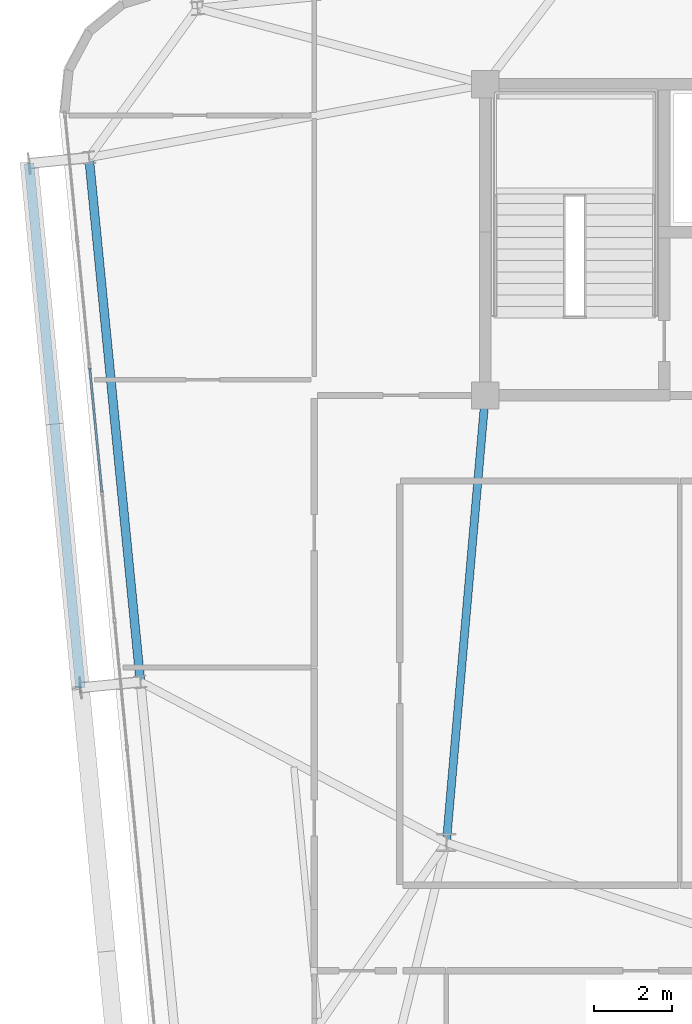
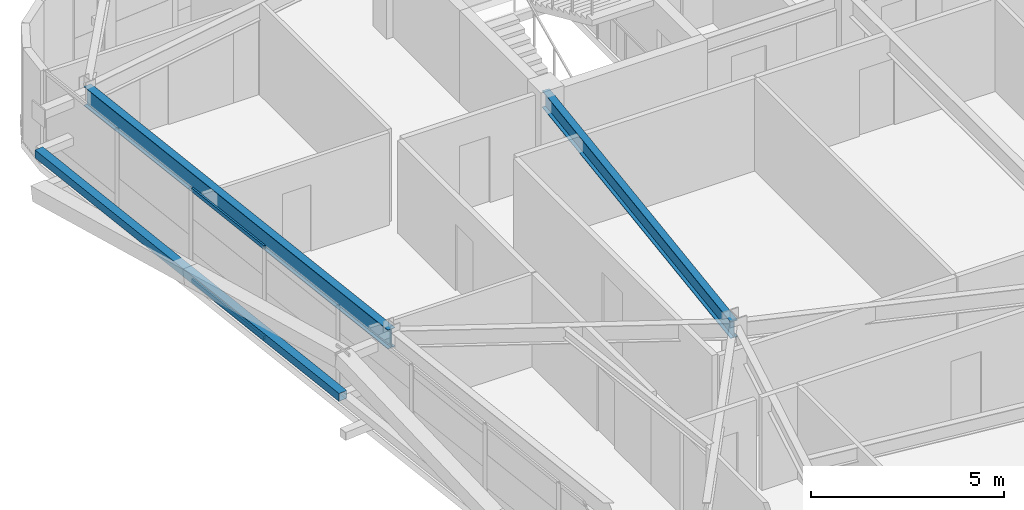
# One storey, part 14 of 52: 3 members, 2 beams, 1 element without a shape of its own.
"""IFC4 building model written with IfcOpenShell, lengths in metres."""

from ifc_helpers import new_model, si_unit, direction, frame, origin, origin_2d, place, context, subcontext, project, spatial, hollow_rectangle, i_section, extrude, source, transform, mapped, material, layer, layer_set, material_profile, profile_set, type_object, element, aggregate, save


model = new_model("IFC4")

# Units and contexts
model_context = context("Model", 3, precision=1e-05, world=origin(), true_north=direction((0.0, 1.0)))
body_context = subcontext(model_context, "Body", "Model", "MODEL_VIEW")
ifc_project = project(units=[si_unit("LENGTHUNIT", "METRE"), si_unit("AREAUNIT", "SQUARE_METRE"), si_unit("VOLUMEUNIT", "CUBIC_METRE"), si_unit("PLANEANGLEUNIT", "RADIAN"), si_unit("MASSUNIT", "GRAM", prefix="KILO")], contexts=[model_context])

# Site, building, storey
site_placement = place(None, origin())
site = spatial("IfcSite", under=ifc_project, at=site_placement, CompositionType="ELEMENT")
building_placement = place(site_placement, origin())
building = spatial("IfcBuilding", under=site, at=building_placement, Name="Taldren Reach Tower", CompositionType="ELEMENT")
storey_placement = place(building_placement, frame((0.0, 0.0, 93.449951171875)))
storey = spatial("IfcBuildingStorey", under=building, at=storey_placement, Name="L28", CompositionType="ELEMENT", Elevation=93.449951171875)

# Beams
ifc_material_1 = material(Name="Steel Gr 350 (350PLUS)", Category="steel")
ifc_material_profile_1 = material_profile(ifc_material_1, i_section(OverallWidth=0.208984375, OverallDepth=0.532958984375, WebThickness=0.01025390625, FlangeThickness=0.015625, at=origin_2d()), Name="530UB92.4")
ifc_profile_set_1 = profile_set([ifc_material_profile_1], Name="Steel Gr 350 (350PLUS)")
beam_type_1 = type_object("IfcBeamType", Name="BM-UB530A", PredefinedType="BEAM", material=ifc_profile_set_1)
shared_shape_1 = source(origin(), body_context, "Body", "SweptSolid", [
    extrude(i_section(OverallWidth=0.208984375, OverallDepth=0.532958984375, WebThickness=0.01025390625, FlangeThickness=0.015625, at=origin_2d()), origin(), (0.0, 0.0, 1.0), 11.54345703125),
])
beam_1_placement = place(storey_placement, frame((19.0, 24.0, 2.66357421875), z_axis=(-0.086629616365, -0.996240588196, 0.0), x_axis=(0.996240588196, -0.086629616365, 0.0)))
element("IfcBeam", 1, at=beam_1_placement, inside=storey, type_object=beam_type_1, Name="Core-spine girder L28-SP09", PredefinedType="BEAM", context=body_context, shape_type="MappedRepresentation", body=[
    mapped(shared_shape_1, transform((0.0, 0.0, 0.0), scale=1.0)),
])
ifc_material_profile_2 = material_profile(ifc_material_1, i_section(OverallWidth=0.22802734375, OverallDepth=0.60205078125, WebThickness=0.010498046875, FlangeThickness=0.014892578125, at=origin_2d()), Name="610UB101")
ifc_profile_set_2 = profile_set([ifc_material_profile_2], Name="Steel Gr 350 (350PLUS)")
beam_type_2 = type_object("IfcBeamType", Name="BM-UB610B", PredefinedType="BEAM", material=ifc_profile_set_2)
shared_shape_2 = source(origin(), body_context, "Body", "SweptSolid", [
    extrude(i_section(OverallWidth=0.22802734375, OverallDepth=0.60205078125, WebThickness=0.010498046875, FlangeThickness=0.014892578125, at=origin_2d()), origin(), (0.0, 0.0, 1.0), 13.550048828125),
])
beam_2_placement = place(storey_placement, frame((8.808349609375, 30.116455078125, 2.629150390625), z_axis=(0.097584021339, -0.995227290009, 0.0), x_axis=(0.995227290009, 0.097584021339, 0.0)))
element("IfcBeam", 2, at=beam_2_placement, inside=storey, type_object=beam_type_2, Name="Perimeter gable girder B2 W3-W2 L28", PredefinedType="BEAM", context=body_context, shape_type="MappedRepresentation", body=[
    mapped(shared_shape_2, transform((0.0, 0.0, 0.0), scale=1.0)),
])

# Member
ifc_material_2 = material(Name="Steel Gr 350 (C350L0)", Category="steel")
ifc_material_profile_3 = material_profile(ifc_material_2, hollow_rectangle(XDim=0.25, YDim=0.25, WallThickness=0.010009765625, at=origin_2d()), Name="250x250x10.0SHS")
ifc_profile_set_3 = profile_set([ifc_material_profile_3], Name="Steel Gr 350 (C350L0)")
member_type_1 = type_object("IfcMemberType", Name="MB-POST250", PredefinedType="POST", material=ifc_profile_set_3)
shared_shape_3 = source(origin(), body_context, "Body", "SweptSolid", [
    extrude(hollow_rectangle(XDim=0.25, YDim=0.25, WallThickness=0.010009765625, at=origin_2d()), origin(), (0.0, 0.0, 1.0), 13.550048828125),
])
member_1_placement = place(storey_placement, frame((8.587890625, 16.479736328125, 1.43505859375), z_axis=(-0.097584021339, 0.995227290009, 0.0), x_axis=(-0.995227290009, -0.097584021339, 0.0)))
element("IfcMember", 3, at=member_1_placement, inside=storey, type_object=member_type_1, Name="Exoskeleton mid-height ring chord B2-W2 L28", PredefinedType="POST", context=body_context, shape_type="MappedRepresentation", body=[
    mapped(shared_shape_3, transform((0.0, 0.0, 0.0), scale=1.0)),
])

# Curtain wall, members
ifc_material_3 = material(Name="Aluminium and Low-E Glass Unitised System", Category="aluminium")
ifc_layer = layer(ifc_material_3, 0.159912109375)
ifc_layer_set = layer_set([ifc_layer], Name="Aluminium and Low-E Glass Unitised System")
curtain_wall_type = type_object("IfcCurtainWallType", Name="CW-SYS-3", PredefinedType="NOTDEFINED", material=ifc_layer_set)
curtain_wall_placement = place(storey_placement, origin())
curtain_wall = element("IfcCurtainWall", 4, at=curtain_wall_placement, inside=storey, type_object=curtain_wall_type, Name="Unitised curtain wall CW-L28-W", PredefinedType="NOTDEFINED")
ifc_material_4 = material(Name="Anodised Aluminium 6063-T6", Category="aluminium")
ifc_material_profile_4 = material_profile(ifc_material_4, hollow_rectangle(XDim=0.054931640625, YDim=0.1201171875, WallThickness=0.0029296875, at=origin_2d()), Name="ALU-120x55x3RHS")
ifc_profile_set_4 = profile_set([ifc_material_profile_4], Name="Anodised Aluminium 6063-T6")
member_type_2 = type_object("IfcMemberType", Name="CW-TRN-135", PredefinedType="USERDEFINED", material=ifc_profile_set_4)
shared_shape_4 = source(origin(), body_context, "Body", "SweptSolid", [
    extrude(hollow_rectangle(XDim=0.054931640625, YDim=0.1201171875, WallThickness=0.0029296875, at=origin_2d()), origin(), (0.0, 0.0, 1.0), 3.212890625),
])
member_2_placement = place(storey_placement, frame((8.826416015625, 24.704345703125, 0.027587890625), z_axis=(0.097569948235, -0.995228669805, 0.0), x_axis=(0.995228669805, 0.097569948235, 0.0)))
member_2 = element("IfcMember", 5, at=member_2_placement, type_object=member_type_2, Name="CW-3 transom 3.1", ObjectType="TRANSOM", PredefinedType="USERDEFINED", context=body_context, shape_type="MappedRepresentation", body=[
    mapped(shared_shape_4, transform((0.0, 0.0, 0.0), scale=1.0)),
])
member_3_placement = place(storey_placement, frame((8.826416015625, 24.704345703125, 2.902587890625), z_axis=(0.097569948235, -0.995228669805, 0.0), x_axis=(0.995228669805, 0.097569948235, 0.0)))
member_3 = element("IfcMember", 6, at=member_3_placement, type_object=member_type_2, Name="CW-3 transom 3.2", ObjectType="TRANSOM", PredefinedType="USERDEFINED", context=body_context, shape_type="MappedRepresentation", body=[
    mapped(shared_shape_4, transform((0.0, 0.0, 0.0), scale=1.0)),
])
aggregate(curtain_wall, [member_2, member_3])

save(model, "model.ifc")
